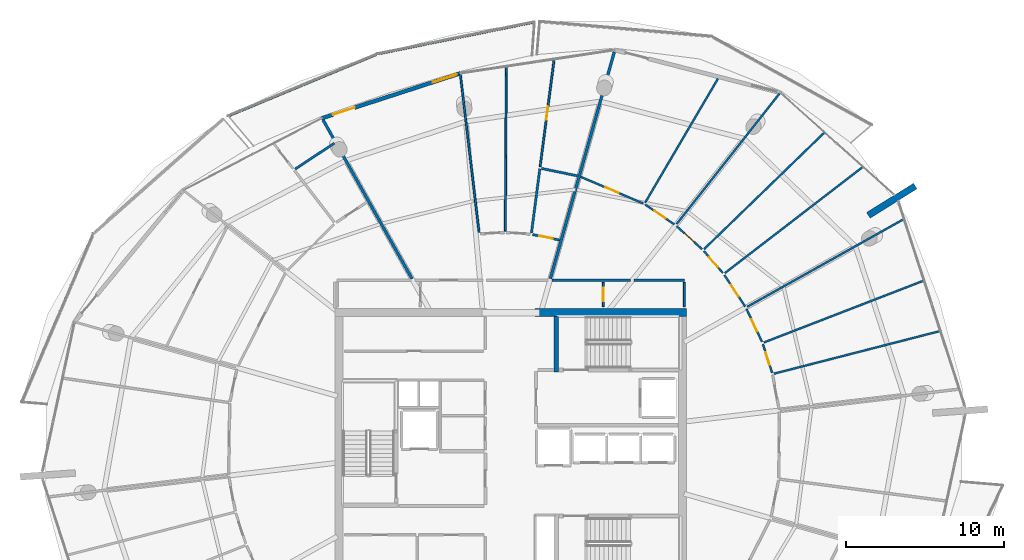
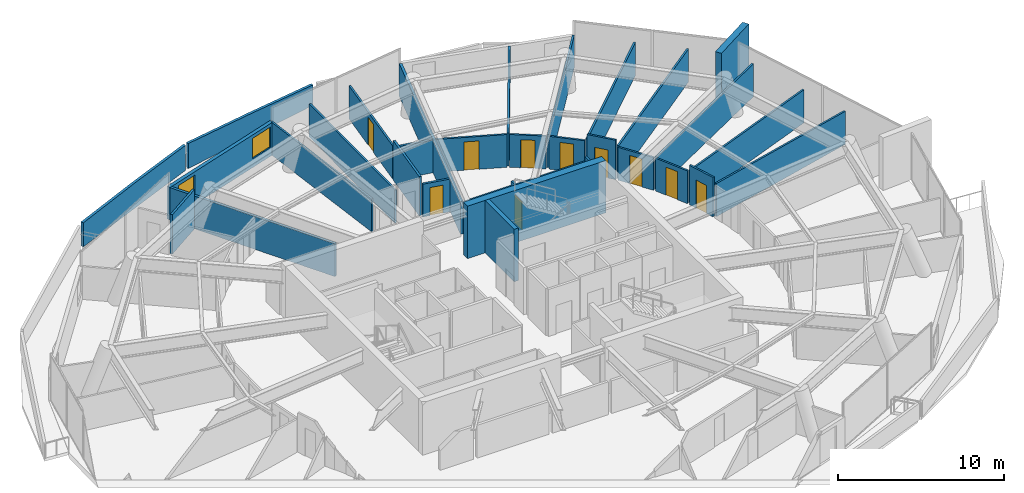
# One storey, part 20 of 27: 33 walls, 11 doors, 1 window, 12 openings.
"""IFC4 building model written with IfcOpenShell, lengths in metres."""

from ifc_helpers import new_model, si_unit, direction, frame, frame_2d, origin, place, context, subcontext, project, spatial, polyline, rectangle, outline, extrude, material, layer, layer_set, type_object, element, fill, save


model = new_model("IFC4")

# Units and contexts
model_context = context("Model", 3, precision=1e-05, world=origin(), true_north=direction((0.0, 1.0)))
body_context = subcontext(model_context, "Body", "Model", "MODEL_VIEW")
ifc_project = project(units=[si_unit("LENGTHUNIT", "METRE"), si_unit("AREAUNIT", "SQUARE_METRE"), si_unit("VOLUMEUNIT", "CUBIC_METRE"), si_unit("PLANEANGLEUNIT", "RADIAN"), si_unit("MASSUNIT", "GRAM", prefix="KILO")], contexts=[model_context])

# Site, building, storey
site_placement = place(None, origin())
site = spatial("IfcSite", under=ifc_project, at=site_placement, CompositionType="ELEMENT")
building_placement = place(site_placement, origin())
building = spatial("IfcBuilding", under=site, at=building_placement, Name="Kazma Halo Residences", CompositionType="ELEMENT")
storey_placement = place(building_placement, frame((0.0, 0.0, 306.0)))
storey = spatial("IfcBuildingStorey", under=building, at=storey_placement, Name="L77", CompositionType="ELEMENT", Elevation=306.0)

# Walls
ifc_material_1 = material(Name="White Concrete C50/60 Balustrade", Category="concrete")
ifc_layer_1 = layer(ifc_material_1, 0.179931640625)
ifc_layer_set_1 = layer_set([ifc_layer_1], Name="White Concrete C50/60 Balustrade")
wall_type_1 = type_object("IfcWallType", Name="WL-BAL-WAVE-180", PredefinedType="PARAPET", material=ifc_layer_set_1)
wall_1_placement = place(storey_placement, frame((49.93408203125, 68.65478515625, 0.0), z_axis=(0.0, 0.0, 1.0), x_axis=(-0.979963105123, -0.19917909679, 0.0)))
element("IfcWall", 1, at=wall_1_placement, inside=storey, type_object=wall_type_1, Name="L77 white wave balustrade wall NNW.1", PredefinedType="PARAPET", context=body_context, shape_type="SweptSolid", body=[
    extrude(outline(polyline([(0.0, 0.0), (10.021484375, 0.0), (10.021484375, 1.83203125), (5.0107421875, 1.696044921875), (0.0, 1.4970703125), (0.0, 0.0)])), frame((0.0, 0.08984375, 0.0), z_axis=(0.0, -1.0, 0.0), x_axis=(1.0, 0.0, 0.0)), (0.0, 0.0, 1.0), 0.179931640625),
])
wall_2_placement = place(storey_placement, frame((39.885009765625, 66.588623046875, 0.0), z_axis=(0.0, 0.0, 1.0), x_axis=(-0.923579743218, -0.383406387424, 0.0)))
element("IfcWall", 2, at=wall_2_placement, inside=storey, type_object=wall_type_1, Name="L77 white wave balustrade wall NNW.2", PredefinedType="PARAPET", context=body_context, shape_type="SweptSolid", body=[
    extrude(outline(polyline([(0.0, 0.0), (10.1259765625, 0.0), (10.1259765625, 1.756103515625), (5.06298828125, 1.85302734375), (0.0, 1.83203125), (0.0, 0.0)])), frame((0.0, 0.08984375, 0.0), z_axis=(0.0, -1.0, 0.0), x_axis=(1.0, 0.0, 0.0)), (0.0, 0.0, 1.0), 0.179931640625),
])
ifc_material_2 = material(Name="Pale Concrete C60/75", Category="concrete")
ifc_layer_2 = layer(ifc_material_2, 0.419921875)
ifc_layer_set_2 = layer_set([ifc_layer_2], Name="Pale Concrete C60/75")
wall_type_2 = type_object("IfcWallType", Name="WL-BLADE-420", PredefinedType="SOLIDWALL", material=ifc_layer_set_2)
wall_3_placement = place(storey_placement, frame((71.06201171875, 56.410888671875, 0.0), z_axis=(0.0, 0.0, 1.0), x_axis=(0.848084507158, 0.529860989996, 0.0)))
element("IfcWall", 3, at=wall_3_placement, inside=storey, type_object=wall_type_2, Name="L77 pale concrete structural blade fin wall BW-01", PredefinedType="SOLIDWALL", context=body_context, shape_type="SweptSolid", body=[
    extrude(rectangle(XDim=3.5, YDim=0.419921875, at=frame_2d((1.75, 0.0))), origin(), (0.0, 0.0, 1.0), 3.85009765625),
])
ifc_material_3 = material(Name="Concrete C60/75", Category="concrete")
ifc_layer_3 = layer(ifc_material_3, 0.5)
ifc_layer_set_3 = layer_set([ifc_layer_3], Name="Concrete C60/75")
wall_type_3 = type_object("IfcWallType", Name="WL-CORE-500", PredefinedType="SHEAR", material=ifc_layer_set_3)
wall_4_placement = place(storey_placement, frame((49.949951171875, 50.25, 0.0), z_axis=(0.0, 0.0, 1.0), x_axis=(1.0, 0.0, 0.0)))
element("IfcWall", 4, at=wall_4_placement, inside=storey, type_object=wall_type_3, Name="L77 central core shear wall NE", PredefinedType="SHEAR", context=body_context, shape_type="SweptSolid", body=[
    extrude(rectangle(XDim=9.60009765625, YDim=0.5, at=frame_2d((4.800048828125, 0.0))), origin(), (0.0, 0.0, 1.0), 3.85009765625),
])
ifc_layer_4 = layer(ifc_material_3, 0.280029296875)
ifc_layer_set_4 = layer_set([ifc_layer_4], Name="Concrete C60/75")
wall_type_4 = type_object("IfcWallType", Name="WL-CORE-ST-280", PredefinedType="SHEAR", material=ifc_layer_set_4)
wall_5_placement = place(storey_placement, frame((51.31005859375, 46.5, 0.0), z_axis=(0.0, 0.0, 1.0), x_axis=(0.0, 1.0, 0.0)))
element("IfcWall", 5, at=wall_5_placement, inside=storey, type_object=wall_type_4, Name="L77 stairwell bearing wall ST02-W", PredefinedType="SHEAR", context=body_context, shape_type="SweptSolid", body=[
    extrude(rectangle(XDim=3.5, YDim=0.280029296875, at=frame_2d((1.75, 0.0))), origin(), (0.0, 0.0, 1.0), 3.85009765625),
])
ifc_material_4 = material(Name="Acoustic Twin-Stud Gypsum")
ifc_layer_5 = layer(ifc_material_4, 0.179931640625)
ifc_layer_set_5 = layer_set([ifc_layer_5], Name="Acoustic Twin-Stud Gypsum")
wall_type_5 = type_object("IfcWallType", Name="WL-DEM-180", PredefinedType="PARTITIONING", material=ifc_layer_set_5)
wall_6_placement = place(storey_placement, frame((50.934814453125, 52.406005859375, 0.0), z_axis=(0.0, 0.0, 1.0), x_axis=(0.27143720787, 0.962456150785, 0.0)))
element("IfcWall", 6, at=wall_6_placement, inside=storey, type_object=wall_type_5, Name="L77 apartment demising radial wall 02", PredefinedType="PARTITIONING", context=body_context, shape_type="SweptSolid", body=[
    extrude(rectangle(XDim=14.90283203125, YDim=0.179931640625, at=frame_2d((7.451416015625, 0.0))), origin(), (0.0, 0.0, 1.0), 2.406982421875),
])
wall_7_placement = place(storey_placement, frame((42.177978515625, 52.39599609375, 0.0), z_axis=(0.0, 0.0, 1.0), x_axis=(-0.488621436647, 0.872495897783, 0.0)))
element("IfcWall", 7, at=wall_7_placement, inside=storey, type_object=wall_type_5, Name="L77 apartment demising radial wall 04", PredefinedType="PARTITIONING", context=body_context, shape_type="SweptSolid", body=[
    extrude(rectangle(XDim=11.52099609375, YDim=0.179931640625, at=frame_2d((5.760498046875, 0.0))), origin(), (0.0, 0.0, 1.0), 2.406982421875),
])
wall_8_placement = place(storey_placement, frame((59.429931640625, 52.300048828125, 0.0), z_axis=(0.0, 0.0, 1.0), x_axis=(-1.0, 0.0, 0.0)))
element("IfcWall", 8, at=wall_8_placement, inside=storey, type_object=wall_type_5, Name="L77 Apartment 2 inner wall 0", PredefinedType="PARTITIONING", context=body_context, shape_type="SweptSolid", body=[
    extrude(rectangle(XDim=3.18994140625, YDim=0.179931640625, at=frame_2d((1.594970703125, 0.0))), origin(), (0.0, 0.0, 1.0), 2.406982421875),
])
wall_9_placement = place(storey_placement, frame((56.0, 52.300048828125, 0.0), z_axis=(0.0, 0.0, 1.0), x_axis=(-1.0, 0.0, 0.0)))
element("IfcWall", 9, at=wall_9_placement, inside=storey, type_object=wall_type_5, Name="L77 Apartment 2 inner wall 1", PredefinedType="PARTITIONING", context=body_context, shape_type="SweptSolid", body=[
    extrude(rectangle(XDim=4.97509765625, YDim=0.179931640625, at=frame_2d((2.487548828125, 0.0))), origin(), (0.0, 0.0, 1.0), 2.406982421875),
])

# Wall, openings, door, window
ifc_material_5 = material(Name="Insulated Pale-Metal Composite Wall")
ifc_layer_6 = layer(ifc_material_5, 0.239990234375)
ifc_layer_set_6 = layer_set([ifc_layer_6], Name="Insulated Pale-Metal Composite Wall")
wall_type_6 = type_object("IfcWallType", Name="WL-EXT-HOST-240", PredefinedType="SOLIDWALL", material=ifc_layer_set_6)
wall_10_placement = place(storey_placement, frame((45.2783203125, 65.41357421875, 0.0), z_axis=(0.0, 0.0, 1.0), x_axis=(-0.951057039462, -0.309015384228, 0.0)))
wall_10 = element("IfcWall", 10, at=wall_10_placement, inside=storey, type_object=wall_type_6, Name="L77 exterior terrace-access wall B04", PredefinedType="SOLIDWALL", context=body_context, shape_type="SweptSolid", body=[
    extrude(rectangle(XDim=9.29345703125, YDim=0.239990234375, at=frame_2d((4.646728515625, 0.0))), origin(), (0.0, 0.0, 1.0), 2.39990234375),
])
opening_1_placement = place(wall_10_placement, frame((7.0732421875, 0.0, 0.0)))
opening_1 = element("IfcOpeningElement", 11, at=opening_1_placement, cuts=wall_10, Name="Opening DTR-1600", PredefinedType="OPENING", context=body_context, shape_type="SweptSolid", body=[
    extrude(rectangle(XDim=1.449951171875, YDim=2.14990234375, at=frame_2d((0.72509765625, 1.074951171875))), frame((0.0, 0.1298828125, 0.0), z_axis=(0.0, -1.0, 0.0), x_axis=(1.0, 0.0, 0.0)), (0.0, 0.0, 1.0), 0.260009765625),
])
opening_2_placement = place(wall_10_placement, frame((0.280029296875, 0.0, 0.64990234375)))
opening_2 = element("IfcOpeningElement", 12, at=opening_2_placement, cuts=wall_10, Name="Opening W-1800", PredefinedType="OPENING", context=body_context, shape_type="SweptSolid", body=[
    extrude(rectangle(XDim=1.60009765625, YDim=1.5, at=frame_2d((0.800048828125, 0.75))), frame((0.0, 0.1298828125, 0.0), z_axis=(0.0, -1.0, 0.0), x_axis=(1.0, 0.0, 0.0)), (0.0, 0.0, 1.0), 0.260009765625),
])
ifc_material_6 = material(Name="Aluminium AW-6063 T6 Double-Glazed Terrace Door", Category="aluminium")
door_type_1 = type_object("IfcDoorType", Name="DR-EXT-TERR-1600", OperationType="NOTDEFINED", PredefinedType="DOOR", material=ifc_material_6)
door_1_placement = place(opening_1_placement, origin())
door_1 = element("IfcDoor", 13, at=door_1_placement, inside=storey, type_object=door_type_1, Name="L77 B04 balcony terrace door", OperationType="DOUBLE_DOOR_SLIDING", OverallHeight=2.14990234375, OverallWidth=1.449951171875, PredefinedType="DOOR", context=body_context, shape_type="SweptSolid", body=[
    extrude(rectangle(XDim=1.449951171875, YDim=2.14990234375, at=frame_2d((0.72509765625, 1.074951171875))), frame((0.0, 0.02490234375, 0.0), z_axis=(0.0, -1.0, 0.0), x_axis=(1.0, 0.0, 0.0)), (0.0, 0.0, 1.0), 0.050048828125),
])
fill(opening_1, door_1)
ifc_material_7 = material(Name="Clear Triple-Silver Low-E Glass in Aluminium AW-6063 T6 Frame", Category="aluminium")
window_type = type_object("IfcWindowType", Name="WIN-RES-1800", PartitioningType="DOUBLE_PANEL_VERTICAL", PredefinedType="WINDOW", material=ifc_material_7)
window_placement = place(opening_2_placement, origin())
window = element("IfcWindow", 14, at=window_placement, inside=storey, type_object=window_type, Name="L77 B04 apartment window", OverallHeight=1.5, OverallWidth=1.60009765625, PartitioningType="SINGLE_PANEL", PredefinedType="WINDOW", context=body_context, shape_type="SweptSolid", body=[
    extrude(rectangle(XDim=1.60009765625, YDim=1.5, at=frame_2d((0.800048828125, 0.75))), frame((0.0, 0.030029296875, 0.0), z_axis=(0.0, -1.0, 0.0), x_axis=(1.0, 0.0, 0.0)), (0.0, 0.0, 1.0), 0.06005859375),
])
fill(opening_2, window)

# Wall
ifc_material_8 = material(Name="Gypsum Plasterboard Partition")
ifc_layer_7 = layer(ifc_material_8, 0.125)
ifc_layer_set_7 = layer_set([ifc_layer_7], Name="Gypsum Plasterboard Partition")
wall_type_7 = type_object("IfcWallType", Name="WL-PART-125", PredefinedType="PARTITIONING", material=ifc_layer_set_7)
wall_11_placement = place(storey_placement, frame((59.409912109375, 50.6201171875, 0.0), z_axis=(0.0, 0.0, 1.0), x_axis=(0.0, 1.0, 0.0)))
element("IfcWall", 15, at=wall_11_placement, inside=storey, type_object=wall_type_7, Name="L77 east cupboard end wall", PredefinedType="PARTITIONING", context=body_context, shape_type="SweptSolid", body=[
    extrude(rectangle(XDim=1.539794921875, YDim=0.125, at=frame_2d((0.77001953125, 0.0))), origin(), (0.0, 0.0, 1.0), 2.889892578125),
])

# Wall, opening, door
wall_12_placement = place(storey_placement, frame((54.2900390625, 50.639892578125, 0.0), z_axis=(0.0, 0.0, 1.0), x_axis=(0.0, 1.0, 0.0)))
wall_12 = element("IfcWall", 16, at=wall_12_placement, inside=storey, type_object=wall_type_7, Name="L77 floor metering cupboard door wall", PredefinedType="PARTITIONING", context=body_context, shape_type="SweptSolid", body=[
    extrude(rectangle(XDim=1.52001953125, YDim=0.125, at=frame_2d((0.760009765625, 0.0))), origin(), (0.0, 0.0, 1.0), 2.889892578125),
])
opening_3_placement = place(wall_12_placement, frame((0.3349609375, 0.0, 0.0)))
opening_3 = element("IfcOpeningElement", 17, at=opening_3_placement, cuts=wall_12, Name="Opening DS-850", PredefinedType="OPENING", context=body_context, shape_type="SweptSolid", body=[
    extrude(rectangle(XDim=0.85009765625, YDim=2.06005859375, at=frame_2d((0.425048828125, 1.030029296875))), frame((0.0, 0.072509765625, 0.0), z_axis=(0.0, -1.0, 0.0), x_axis=(1.0, 0.0, 0.0)), (0.0, 0.0, 1.0), 0.14501953125),
])
ifc_material_9 = material(Name="Painted Steel Access Leaf", Category="steel")
door_type_2 = type_object("IfcDoorType", Name="DR-SVC-850", OperationType="NOTDEFINED", PredefinedType="DOOR", material=ifc_material_9)
door_2_placement = place(opening_3_placement, origin())
door_2 = element("IfcDoor", 18, at=door_2_placement, inside=storey, type_object=door_type_2, Name="L77 floor cupboard door", OperationType="SINGLE_SWING_LEFT", OverallHeight=2.06005859375, OverallWidth=0.85009765625, PredefinedType="DOOR", context=body_context, shape_type="SweptSolid", body=[
    extrude(rectangle(XDim=0.85009765625, YDim=2.06005859375, at=frame_2d((0.425048828125, 1.030029296875))), frame((0.0, 0.02490234375, 0.0), z_axis=(0.0, -1.0, 0.0), x_axis=(1.0, 0.0, 0.0)), (0.0, 0.0, 1.0), 0.050048828125),
])
fill(opening_3, door_2)

# Wall
wall_13_placement = place(storey_placement, frame((46.422119140625, 55.331787109375, 0.0), z_axis=(0.0, 0.0, 1.0), x_axis=(-0.117536056913, 0.993068615618, 0.0)))
element("IfcWall", 19, at=wall_13_placement, inside=storey, type_object=wall_type_7, Name="L77 Apartment 1 living radial partition 2", PredefinedType="PARTITIONING", context=body_context, shape_type="SweptSolid", body=[
    extrude(rectangle(XDim=10.111572265625, YDim=0.125, at=frame_2d((5.0556640625, 0.0))), origin(), (0.0, 0.0, 1.0), 2.406982421875),
])

# Wall, opening, door
wall_14_placement = place(storey_placement, frame((50.285888671875, 59.486083984375, 0.0), z_axis=(0.0, 0.0, 1.0), x_axis=(0.129586417029, 0.991568132062, 0.0)))
wall_14 = element("IfcWall", 20, at=wall_14_placement, inside=storey, type_object=wall_type_7, Name="L77 Apartment 1 Utility Laundry Room partition wall", PredefinedType="PARTITIONING", context=body_context, shape_type="SweptSolid", body=[
    extrude(rectangle(XDim=6.8388671875, YDim=0.125, at=frame_2d((3.41943359375, 0.0))), origin(), (0.0, 0.0, 1.0), 2.425048828125),
])
opening_4_placement = place(wall_14_placement, frame((2.994384765625, 0.0, 0.0)))
opening_4 = element("IfcOpeningElement", 21, at=opening_4_placement, cuts=wall_14, Name="Opening DB-900", PredefinedType="OPENING", context=body_context, shape_type="SweptSolid", body=[
    extrude(rectangle(XDim=0.85009765625, YDim=2.06005859375, at=frame_2d((0.425048828125, 1.030029296875))), frame((0.0, 0.072509765625, 0.0), z_axis=(0.0, -1.0, 0.0), x_axis=(1.0, 0.0, 0.0)), (0.0, 0.0, 1.0), 0.14501953125),
])
ifc_material_10 = material(Name="Moisture-Sealed Timber Leaf", Category="wood")
door_type_3 = type_object("IfcDoorType", Name="DR-BTH-900", OperationType="NOTDEFINED", PredefinedType="DOOR", material=ifc_material_10)
door_3_placement = place(opening_4_placement, origin())
door_3 = element("IfcDoor", 22, at=door_3_placement, inside=storey, type_object=door_type_3, Name="L77 Apartment 1 Utility Laundry Room door", OperationType="SINGLE_SWING_LEFT", OverallHeight=2.06005859375, OverallWidth=0.85009765625, PredefinedType="DOOR", context=body_context, shape_type="SweptSolid", body=[
    extrude(rectangle(XDim=0.85009765625, YDim=2.06005859375, at=frame_2d((0.425048828125, 1.030029296875))), frame((0.0, 0.02490234375, 0.0), z_axis=(0.0, -1.0, 0.0), x_axis=(1.0, 0.0, 0.0)), (0.0, 0.0, 1.0), 0.050048828125),
])
fill(opening_4, door_3)

# Walls
wall_15_placement = place(storey_placement, frame((48.08154296875, 55.414794921875, 0.0), z_axis=(0.0, 0.0, 1.0), x_axis=(0.006105465761, 0.99998136147, 0.0)))
element("IfcWall", 23, at=wall_15_placement, inside=storey, type_object=wall_type_7, Name="L77 Apartment 1 suite divider 2", PredefinedType="PARTITIONING", context=body_context, shape_type="SweptSolid", body=[
    extrude(rectangle(XDim=10.396728515625, YDim=0.125, at=frame_2d((5.1982421875, 0.0))), origin(), (0.0, 0.0, 1.0), 2.425048828125),
])
wall_16_placement = place(storey_placement, frame((65.08203125, 46.385986328125, 0.0), z_axis=(0.0, 0.0, 1.0), x_axis=(0.968583288046, 0.248689392855, 0.0)))
element("IfcWall", 24, at=wall_16_placement, inside=storey, type_object=wall_type_7, Name="L77 Apartment 2 bay wall 1 15", PredefinedType="PARTITIONING", context=body_context, shape_type="SweptSolid", body=[
    extrude(rectangle(XDim=10.866455078125, YDim=0.125, at=frame_2d((5.43310546875, 0.0))), origin(), (0.0, 0.0, 1.0), 2.425048828125),
])
wall_17_placement = place(storey_placement, frame((64.447998046875, 48.36328125, 0.0), z_axis=(0.0, 0.0, 1.0), x_axis=(0.932639410658, 0.360809824822, 0.0)))
element("IfcWall", 25, at=wall_17_placement, inside=storey, type_object=wall_type_7, Name="L77 Apartment 2 bay wall 2 15", PredefinedType="PARTITIONING", context=body_context, shape_type="SweptSolid", body=[
    extrude(rectangle(XDim=10.853515625, YDim=0.125, at=frame_2d((5.4267578125, 0.0))), origin(), (0.0, 0.0, 1.0), 2.425048828125),
])

# Wall, opening, door
wall_18_placement = place(storey_placement, frame((64.970458984375, 46.439697265625, 0.0), z_axis=(0.0, 0.0, 1.0), x_axis=(-0.305370578234, 0.952233590013, 0.0)))
wall_18 = element("IfcWall", 26, at=wall_18_placement, inside=storey, type_object=wall_type_7, Name="L77 Apartment 2 North Study hall wall", PredefinedType="PARTITIONING", context=body_context, shape_type="SweptSolid", body=[
    extrude(rectangle(XDim=1.906005859375, YDim=0.125, at=frame_2d((0.953125, 0.0))), origin(), (0.0, 0.0, 1.0), 2.889892578125),
])
opening_5_placement = place(wall_18_placement, frame((0.528076171875, 0.0, 0.0)))
opening_5 = element("IfcOpeningElement", 27, at=opening_5_placement, cuts=wall_18, Name="Opening DB-900", PredefinedType="OPENING", context=body_context, shape_type="SweptSolid", body=[
    extrude(rectangle(XDim=0.85009765625, YDim=2.06005859375, at=frame_2d((0.425048828125, 1.030029296875))), frame((0.0, 0.072509765625, 0.0), z_axis=(0.0, -1.0, 0.0), x_axis=(1.0, 0.0, 0.0)), (0.0, 0.0, 1.0), 0.14501953125),
])
door_4_placement = place(opening_5_placement, origin())
door_4 = element("IfcDoor", 28, at=door_4_placement, inside=storey, type_object=door_type_3, Name="L77 Apartment 2 North Study door", OperationType="SINGLE_SWING_LEFT", OverallHeight=2.06005859375, OverallWidth=0.85009765625, PredefinedType="DOOR", context=body_context, shape_type="SweptSolid", body=[
    extrude(rectangle(XDim=0.85009765625, YDim=2.06005859375, at=frame_2d((0.425048828125, 1.030029296875))), frame((0.0, 0.02490234375, 0.0), z_axis=(0.0, -1.0, 0.0), x_axis=(1.0, 0.0, 0.0)), (0.0, 0.0, 1.0), 0.050048828125),
])
fill(opening_5, door_4)

wall_19_placement = place(storey_placement, frame((64.330078125, 48.4033203125, 0.0), z_axis=(0.0, 0.0, 1.0), x_axis=(-0.425771678031, 0.904830635084, 0.0)))
wall_19 = element("IfcWall", 29, at=wall_19_placement, inside=storey, type_object=wall_type_7, Name="L77 Apartment 2 South Master Bedroom hall wall", PredefinedType="PARTITIONING", context=body_context, shape_type="SweptSolid", body=[
    extrude(rectangle(XDim=2.318359375, YDim=0.125, at=frame_2d((1.1591796875, 0.0))), origin(), (0.0, 0.0, 1.0), 2.406982421875),
])
opening_6_placement = place(wall_19_placement, frame((0.734130859375, 0.0, 0.0)))
opening_6 = element("IfcOpeningElement", 30, at=opening_6_placement, cuts=wall_19, Name="Opening DB-900", PredefinedType="OPENING", context=body_context, shape_type="SweptSolid", body=[
    extrude(rectangle(XDim=0.85009765625, YDim=2.06005859375, at=frame_2d((0.425048828125, 1.030029296875))), frame((0.0, 0.072509765625, 0.0), z_axis=(0.0, -1.0, 0.0), x_axis=(1.0, 0.0, 0.0)), (0.0, 0.0, 1.0), 0.14501953125),
])
door_5_placement = place(opening_6_placement, origin())
door_5 = element("IfcDoor", 31, at=door_5_placement, inside=storey, type_object=door_type_3, Name="L77 Apartment 2 South Master Bedroom door", OperationType="SINGLE_SWING_RIGHT", OverallHeight=2.06005859375, OverallWidth=0.85009765625, PredefinedType="DOOR", context=body_context, shape_type="SweptSolid", body=[
    extrude(rectangle(XDim=0.85009765625, YDim=2.06005859375, at=frame_2d((0.425048828125, 1.030029296875))), frame((0.0, 0.02490234375, 0.0), z_axis=(0.0, -1.0, 0.0), x_axis=(1.0, 0.0, 0.0)), (0.0, 0.0, 1.0), 0.050048828125),
])
fill(opening_6, door_5)

# Walls
wall_20_placement = place(storey_placement, frame((63.39599609375, 50.622314453125, 0.0), z_axis=(0.0, 0.0, 1.0), x_axis=(0.8724964858, 0.488620386667, 0.0)))
element("IfcWall", 32, at=wall_20_placement, inside=storey, type_object=wall_type_7, Name="L77 Apartment 2 radial partition 0", PredefinedType="PARTITIONING", context=body_context, shape_type="SweptSolid", body=[
    extrude(rectangle(XDim=11.358154296875, YDim=0.125, at=frame_2d((5.67919921875, 0.0))), origin(), (0.0, 0.0, 1.0), 2.406982421875),
])
wall_21_placement = place(storey_placement, frame((61.9775390625, 52.75439453125, 0.0), z_axis=(0.0, 0.0, 1.0), x_axis=(0.792557966204, 0.609796581005, 0.0)))
element("IfcWall", 33, at=wall_21_placement, inside=storey, type_object=wall_type_7, Name="L77 Apartment 2 bay wall 1 0", PredefinedType="PARTITIONING", context=body_context, shape_type="SweptSolid", body=[
    extrude(rectangle(XDim=10.998046875, YDim=0.125, at=frame_2d((5.4990234375, 0.0))), origin(), (0.0, 0.0, 1.0), 2.425048828125),
])
wall_22_placement = place(storey_placement, frame((60.664794921875, 54.273193359375, 0.0), z_axis=(0.0, 0.0, 1.0), x_axis=(0.718137190606, 0.695901555874, 0.0)))
element("IfcWall", 34, at=wall_22_placement, inside=storey, type_object=wall_type_7, Name="L77 Apartment 2 bay wall 2 0", PredefinedType="PARTITIONING", context=body_context, shape_type="SweptSolid", body=[
    extrude(rectangle(XDim=10.58447265625, YDim=0.125, at=frame_2d((5.292236328125, 0.0))), origin(), (0.0, 0.0, 1.0), 2.425048828125),
])

# Wall, opening, door
wall_23_placement = place(storey_placement, frame((63.2646484375, 50.64013671875, 0.0), z_axis=(0.0, 0.0, 1.0), x_axis=(-0.550634170063, 0.834746674602, 0.0)))
wall_23 = element("IfcWall", 35, at=wall_23_placement, inside=storey, type_object=wall_type_7, Name="L77 Apartment 2 Corner Master Bedroom hall wall", PredefinedType="PARTITIONING", context=body_context, shape_type="SweptSolid", body=[
    extrude(rectangle(XDim=2.38720703125, YDim=0.125, at=frame_2d((1.193603515625, 0.0))), origin(), (0.0, 0.0, 1.0), 2.406982421875),
])
opening_7_placement = place(wall_23_placement, frame((0.7685546875, 0.0, 0.0)))
opening_7 = element("IfcOpeningElement", 36, at=opening_7_placement, cuts=wall_23, Name="Opening DB-900", PredefinedType="OPENING", context=body_context, shape_type="SweptSolid", body=[
    extrude(rectangle(XDim=0.85009765625, YDim=2.06005859375, at=frame_2d((0.425048828125, 1.030029296875))), frame((0.0, 0.072509765625, 0.0), z_axis=(0.0, -1.0, 0.0), x_axis=(1.0, 0.0, 0.0)), (0.0, 0.0, 1.0), 0.14501953125),
])
door_6_placement = place(opening_7_placement, origin())
door_6 = element("IfcDoor", 37, at=door_6_placement, inside=storey, type_object=door_type_3, Name="L77 Apartment 2 Corner Master Bedroom door", OperationType="SINGLE_SWING_LEFT", OverallHeight=2.06005859375, OverallWidth=0.85009765625, PredefinedType="DOOR", context=body_context, shape_type="SweptSolid", body=[
    extrude(rectangle(XDim=0.85009765625, YDim=2.06005859375, at=frame_2d((0.425048828125, 1.030029296875))), frame((0.0, 0.02490234375, 0.0), z_axis=(0.0, -1.0, 0.0), x_axis=(1.0, 0.0, 0.0)), (0.0, 0.0, 1.0), 0.050048828125),
])
fill(opening_7, door_6)

wall_24_placement = place(storey_placement, frame((61.85400390625, 52.760009765625, 0.0), z_axis=(0.0, 0.0, 1.0), x_axis=(-0.653948493608, 0.756539072162, 0.0)))
wall_24 = element("IfcWall", 38, at=wall_24_placement, inside=storey, type_object=wall_type_7, Name="L77 Apartment 2 Garden Study hall wall", PredefinedType="PARTITIONING", context=body_context, shape_type="SweptSolid", body=[
    extrude(rectangle(XDim=1.837158203125, YDim=0.125, at=frame_2d((0.91845703125, 0.0))), origin(), (0.0, 0.0, 1.0), 2.889892578125),
])
opening_8_placement = place(wall_24_placement, frame((0.49365234375, 0.0, 0.0)))
opening_8 = element("IfcOpeningElement", 39, at=opening_8_placement, cuts=wall_24, Name="Opening DB-900", PredefinedType="OPENING", context=body_context, shape_type="SweptSolid", body=[
    extrude(rectangle(XDim=0.85009765625, YDim=2.06005859375, at=frame_2d((0.425048828125, 1.030029296875))), frame((0.0, 0.072509765625, 0.0), z_axis=(0.0, -1.0, 0.0), x_axis=(1.0, 0.0, 0.0)), (0.0, 0.0, 1.0), 0.14501953125),
])
door_7_placement = place(opening_8_placement, origin())
door_7 = element("IfcDoor", 40, at=door_7_placement, inside=storey, type_object=door_type_3, Name="L77 Apartment 2 Garden Study door", OperationType="SINGLE_SWING_RIGHT", OverallHeight=2.06005859375, OverallWidth=0.85009765625, PredefinedType="DOOR", context=body_context, shape_type="SweptSolid", body=[
    extrude(rectangle(XDim=0.85009765625, YDim=2.06005859375, at=frame_2d((0.425048828125, 1.030029296875))), frame((0.0, 0.02490234375, 0.0), z_axis=(0.0, -1.0, 0.0), x_axis=(1.0, 0.0, 0.0)), (0.0, 0.0, 1.0), 0.050048828125),
])
fill(opening_8, door_7)

wall_25_placement = place(storey_placement, frame((60.540771484375, 54.26416015625, 0.0), z_axis=(0.0, 0.0, 1.0), x_axis=(-0.742235558018, 0.670139072443, 0.0)))
wall_25 = element("IfcWall", 41, at=wall_25_placement, inside=storey, type_object=wall_type_7, Name="L77 Apartment 2 Sky Bedroom hall wall", PredefinedType="PARTITIONING", context=body_context, shape_type="SweptSolid", body=[
    extrude(rectangle(XDim=2.1806640625, YDim=0.125, at=frame_2d((1.09033203125, 0.0))), origin(), (0.0, 0.0, 1.0), 2.406982421875),
])
opening_9_placement = place(wall_25_placement, frame((0.66552734375, 0.0, 0.0)))
opening_9 = element("IfcOpeningElement", 42, at=opening_9_placement, cuts=wall_25, Name="Opening DB-900", PredefinedType="OPENING", context=body_context, shape_type="SweptSolid", body=[
    extrude(rectangle(XDim=0.85009765625, YDim=2.06005859375, at=frame_2d((0.425048828125, 1.030029296875))), frame((0.0, 0.072509765625, 0.0), z_axis=(0.0, -1.0, 0.0), x_axis=(1.0, 0.0, 0.0)), (0.0, 0.0, 1.0), 0.14501953125),
])
door_8_placement = place(opening_9_placement, origin())
door_8 = element("IfcDoor", 43, at=door_8_placement, inside=storey, type_object=door_type_3, Name="L77 Apartment 2 Sky Bedroom door", OperationType="SINGLE_SWING_LEFT", OverallHeight=2.06005859375, OverallWidth=0.85009765625, PredefinedType="DOOR", context=body_context, shape_type="SweptSolid", body=[
    extrude(rectangle(XDim=0.85009765625, YDim=2.06005859375, at=frame_2d((0.425048828125, 1.030029296875))), frame((0.0, 0.02490234375, 0.0), z_axis=(0.0, -1.0, 0.0), x_axis=(1.0, 0.0, 0.0)), (0.0, 0.0, 1.0), 0.050048828125),
])
fill(opening_9, door_8)

# Walls
wall_26_placement = place(storey_placement, frame((58.924560546875, 55.857666015625, 0.0), z_axis=(0.0, 0.0, 1.0), x_axis=(0.619089572631, 0.785320381157, 0.0)))
element("IfcWall", 44, at=wall_26_placement, inside=storey, type_object=wall_type_7, Name="L77 Apartment 2 radial partition 1", PredefinedType="PARTITIONING", context=body_context, shape_type="SweptSolid", body=[
    extrude(rectangle(XDim=10.562744140625, YDim=0.125, at=frame_2d((5.28125, 0.0))), origin(), (0.0, 0.0, 1.0), 2.406982421875),
])
wall_27_placement = place(storey_placement, frame((56.9296875, 57.208251953125, 0.0), z_axis=(0.0, 0.0, 1.0), x_axis=(0.506357005421, 0.862323943226, 0.0)))
element("IfcWall", 45, at=wall_27_placement, inside=storey, type_object=wall_type_7, Name="L77 Apartment 2 mid-bay wall 1", PredefinedType="PARTITIONING", context=body_context, shape_type="SweptSolid", body=[
    extrude(rectangle(XDim=9.10888671875, YDim=0.125, at=frame_2d((4.554443359375, 0.0))), origin(), (0.0, 0.0, 1.0), 2.425048828125),
])

# Wall, opening, door
wall_28_placement = place(storey_placement, frame((58.780029296875, 55.835693359375, 0.0), z_axis=(0.0, 0.0, 1.0), x_axis=(-0.825777202557, 0.563996464295, 0.0)))
wall_28 = element("IfcWall", 46, at=wall_28_placement, inside=storey, type_object=wall_type_7, Name="L77 Apartment 2 Gulf Wine Pantry Store hall wall", PredefinedType="PARTITIONING", context=body_context, shape_type="SweptSolid", body=[
    extrude(rectangle(XDim=2.2158203125, YDim=0.125, at=frame_2d((1.10791015625, 0.0))), origin(), (0.0, 0.0, 1.0), 2.406982421875),
])
opening_10_placement = place(wall_28_placement, frame((0.682861328125, 0.0, 0.0)))
opening_10 = element("IfcOpeningElement", 47, at=opening_10_placement, cuts=wall_28, Name="Opening DB-900", PredefinedType="OPENING", context=body_context, shape_type="SweptSolid", body=[
    extrude(rectangle(XDim=0.85009765625, YDim=2.06005859375, at=frame_2d((0.425048828125, 1.030029296875))), frame((0.0, 0.072509765625, 0.0), z_axis=(0.0, -1.0, 0.0), x_axis=(1.0, 0.0, 0.0)), (0.0, 0.0, 1.0), 0.14501953125),
])
door_9_placement = place(opening_10_placement, origin())
door_9 = element("IfcDoor", 48, at=door_9_placement, inside=storey, type_object=door_type_3, Name="L77 Apartment 2 Gulf Wine Pantry Store door", OperationType="SINGLE_SWING_LEFT", OverallHeight=2.06005859375, OverallWidth=0.85009765625, PredefinedType="DOOR", context=body_context, shape_type="SweptSolid", body=[
    extrude(rectangle(XDim=0.85009765625, YDim=2.06005859375, at=frame_2d((0.425048828125, 1.030029296875))), frame((0.0, 0.02490234375, 0.0), z_axis=(0.0, -1.0, 0.0), x_axis=(1.0, 0.0, 0.0)), (0.0, 0.0, 1.0), 0.050048828125),
])
fill(opening_10, door_9)

wall_29_placement = place(storey_placement, frame((56.810546875, 57.162109375, 0.0), z_axis=(0.0, 0.0, 1.0), x_axis=(-0.919947770822, 0.392040940414, 0.0)))
wall_29 = element("IfcWall", 49, at=wall_29_placement, inside=storey, type_object=wall_type_7, Name="L77 Apartment 2 Primary Formal Dining Room hall wall", PredefinedType="PARTITIONING", context=body_context, shape_type="SweptSolid", body=[
    extrude(rectangle(XDim=4.300048828125, YDim=0.125, at=frame_2d((2.14990234375, 0.0))), origin(), (0.0, 0.0, 1.0), 2.406982421875),
])
opening_11_placement = place(wall_29_placement, frame((1.7001953125, 0.0, 0.0)))
opening_11 = element("IfcOpeningElement", 50, at=opening_11_placement, cuts=wall_29, Name="Opening DI-950", PredefinedType="OPENING", context=body_context, shape_type="SweptSolid", body=[
    extrude(rectangle(XDim=0.89990234375, YDim=2.080078125, at=frame_2d((0.449951171875, 1.0400390625))), frame((0.0, 0.072509765625, 0.0), z_axis=(0.0, -1.0, 0.0), x_axis=(1.0, 0.0, 0.0)), (0.0, 0.0, 1.0), 0.14501953125),
])
ifc_material_11 = material(Name="Timber Veneer Flush Leaf", Category="wood")
door_type_4 = type_object("IfcDoorType", Name="DR-INT-950", OperationType="NOTDEFINED", PredefinedType="DOOR", material=ifc_material_11)
door_10_placement = place(opening_11_placement, origin())
door_10 = element("IfcDoor", 51, at=door_10_placement, inside=storey, type_object=door_type_4, Name="L77 Apartment 2 Primary Formal Dining Room door", OperationType="SINGLE_SWING_RIGHT", OverallHeight=2.080078125, OverallWidth=0.89990234375, PredefinedType="DOOR", context=body_context, shape_type="SweptSolid", body=[
    extrude(rectangle(XDim=0.89990234375, YDim=2.080078125, at=frame_2d((0.449951171875, 1.0400390625))), frame((0.0, 0.02490234375, 0.0), z_axis=(0.0, -1.0, 0.0), x_axis=(1.0, 0.0, 0.0)), (0.0, 0.0, 1.0), 0.050048828125),
])
fill(opening_11, door_10)

ifc_material_12 = material(Name="Moisture-Resistant Gypsum")
ifc_layer_8 = layer(ifc_material_12, 0.14990234375)
ifc_layer_set_8 = layer_set([ifc_layer_8], Name="Moisture-Resistant Gypsum")
wall_type_8 = type_object("IfcWallType", Name="WL-WET-150", PredefinedType="PARTITIONING", material=ifc_layer_set_8)
wall_30_placement = place(storey_placement, frame((51.518798828125, 54.8447265625, 0.0), z_axis=(0.0, 0.0, 1.0), x_axis=(-0.979552357192, 0.201189412048, 0.0)))
wall_30 = element("IfcWall", 52, at=wall_30_placement, inside=storey, type_object=wall_type_8, Name="L77 Apartment 1 Guest Bathroom hall wall", PredefinedType="PARTITIONING", context=body_context, shape_type="SweptSolid", body=[
    extrude(rectangle(XDim=1.739013671875, YDim=0.14990234375, at=frame_2d((0.86962890625, 0.0))), origin(), (0.0, 0.0, 1.0), 2.406982421875),
])
opening_12_placement = place(wall_30_placement, frame((0.444580078125, 0.0, 0.0)))
opening_12 = element("IfcOpeningElement", 53, at=opening_12_placement, cuts=wall_30, Name="Opening DB-900", PredefinedType="OPENING", context=body_context, shape_type="SweptSolid", body=[
    extrude(rectangle(XDim=0.85009765625, YDim=2.06005859375, at=frame_2d((0.425048828125, 1.030029296875))), frame((0.0, 0.0849609375, 0.0), z_axis=(0.0, -1.0, 0.0), x_axis=(1.0, 0.0, 0.0)), (0.0, 0.0, 1.0), 0.169921875),
])
door_11_placement = place(opening_12_placement, origin())
door_11 = element("IfcDoor", 54, at=door_11_placement, inside=storey, type_object=door_type_3, Name="L77 Apartment 1 Guest Bathroom door", OperationType="SINGLE_SWING_RIGHT", OverallHeight=2.06005859375, OverallWidth=0.85009765625, PredefinedType="DOOR", context=body_context, shape_type="SweptSolid", body=[
    extrude(rectangle(XDim=0.85009765625, YDim=2.06005859375, at=frame_2d((0.425048828125, 1.030029296875))), frame((0.0, 0.02490234375, 0.0), z_axis=(0.0, -1.0, 0.0), x_axis=(1.0, 0.0, 0.0)), (0.0, 0.0, 1.0), 0.050048828125),
])
fill(opening_12, door_11)

# Walls
wall_31_placement = place(storey_placement, frame((52.664306640625, 58.906494140625, 0.0), z_axis=(0.0, 0.0, 1.0), x_axis=(-0.979585392817, 0.201028500912, 0.0)))
element("IfcWall", 55, at=wall_31_placement, inside=storey, type_object=wall_type_8, Name="L77 Apartment 1 Guest Bathroom back wall", PredefinedType="PARTITIONING", context=body_context, shape_type="SweptSolid", body=[
    extrude(rectangle(XDim=2.35009765625, YDim=0.14990234375, at=frame_2d((1.175048828125, 0.0))), origin(), (0.0, 0.0, 1.0), 2.406982421875),
])
wall_32_placement = place(storey_placement, frame((49.739013671875, 55.3017578125, 0.0), z_axis=(0.0, 0.0, 1.0), x_axis=(0.129528016187, 0.991575762624, 0.0)))
element("IfcWall", 56, at=wall_32_placement, inside=storey, type_object=wall_type_8, Name="L77 Apartment 1 Guest Bathroom side wall", PredefinedType="PARTITIONING", context=body_context, shape_type="SweptSolid", body=[
    extrude(rectangle(XDim=4.090087890625, YDim=0.14990234375, at=frame_2d((2.044921875, 0.0))), origin(), (0.0, 0.0, 1.0), 2.889892578125),
])
wall_33_placement = place(storey_placement, frame((37.259765625, 60.97412109375, 0.0), z_axis=(0.0, 0.0, 1.0), x_axis=(-0.834824162433, -0.550516682598, 0.0)))
element("IfcWall", 57, at=wall_33_placement, inside=storey, type_object=wall_type_8, Name="L77 Apartment 2 Guest Bathroom back wall", PredefinedType="PARTITIONING", context=body_context, shape_type="SweptSolid", body=[
    extrude(rectangle(XDim=2.9677734375, YDim=0.14990234375, at=frame_2d((1.48388671875, 0.0))), origin(), (0.0, 0.0, 1.0), 2.889892578125),
])

save(model, "model.ifc")
